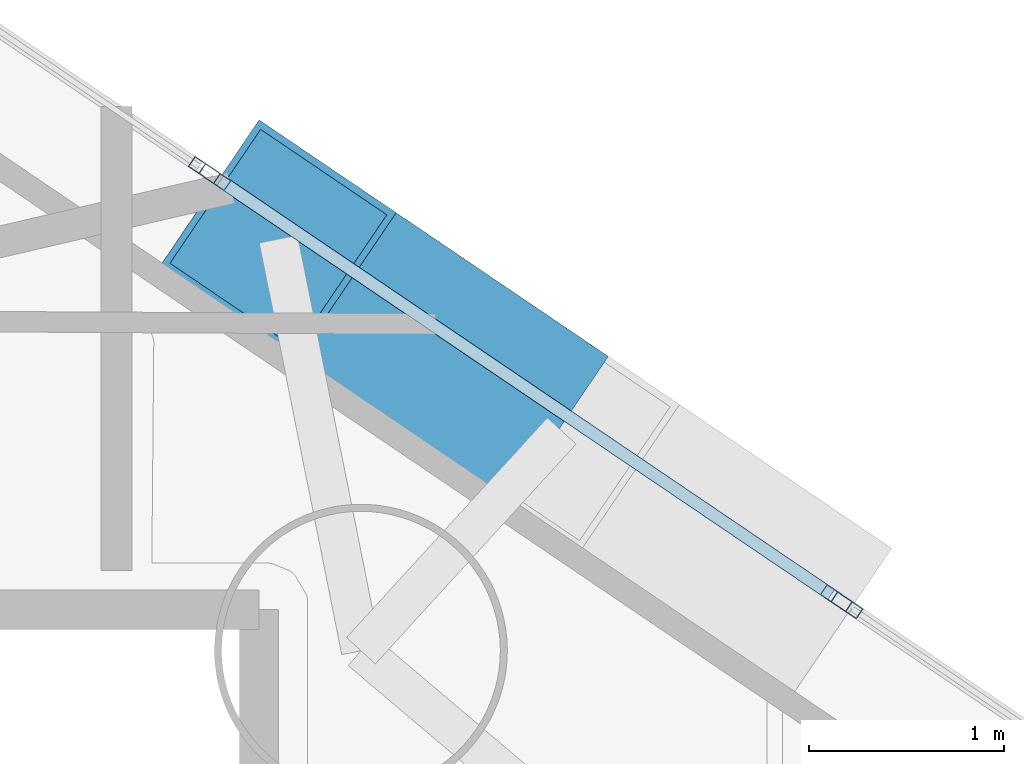
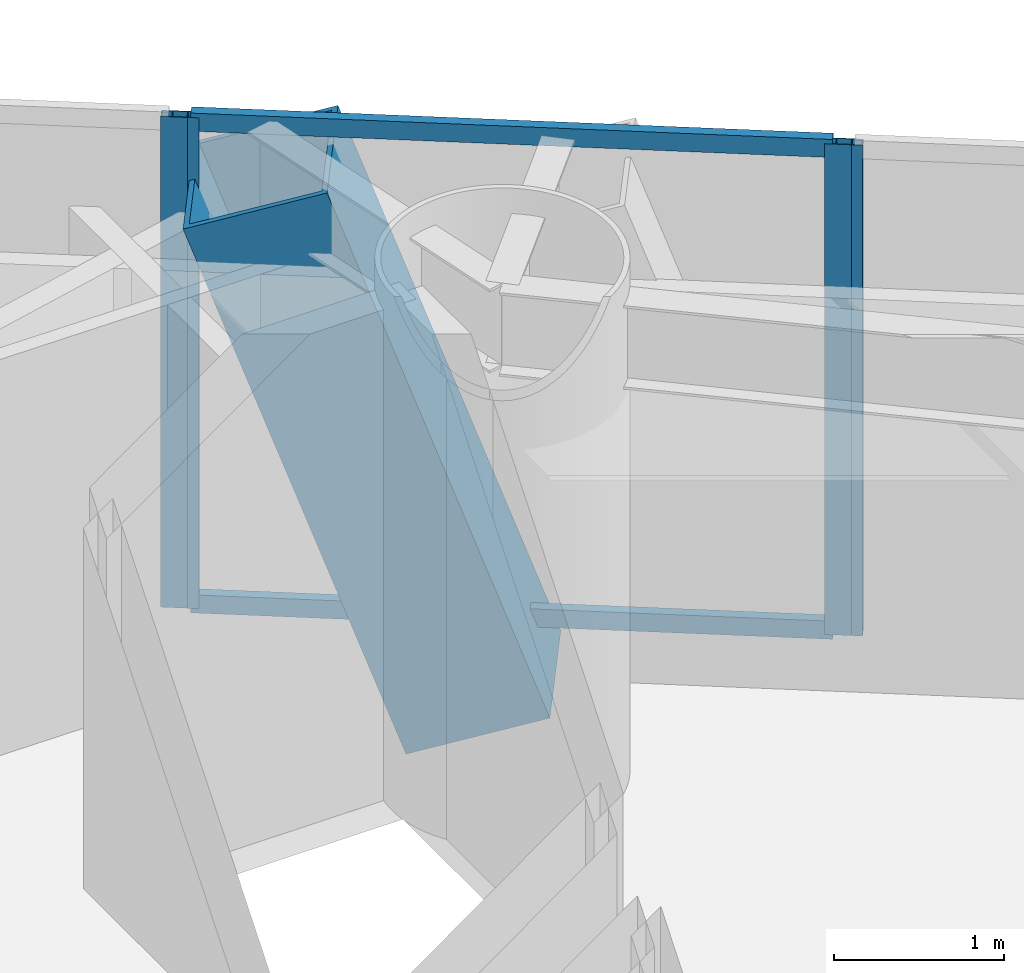
# One storey, part 11 of 21: 7 members, 3 elements without a shape of their own.
"""IFC4 building model written with IfcOpenShell, lengths in metres."""

from ifc_helpers import new_model, si_unit, direction, frame, origin, origin_2d, place, context, subcontext, project, spatial, hollow_rectangle, extrude, material, layer, layer_set, material_profile, profile_set, type_object, element, aggregate, save


model = new_model("IFC4")

# Units and contexts
model_context = context("Model", 3, precision=1e-05, world=origin(), true_north=direction((0.0, 1.0)))
body_context = subcontext(model_context, "Body", "Model", "MODEL_VIEW")
ifc_project = project(units=[si_unit("LENGTHUNIT", "METRE"), si_unit("AREAUNIT", "SQUARE_METRE"), si_unit("VOLUMEUNIT", "CUBIC_METRE"), si_unit("PLANEANGLEUNIT", "RADIAN"), si_unit("MASSUNIT", "GRAM", prefix="KILO")], contexts=[model_context])

# Site, building, storey
site_placement = place(None, origin())
site = spatial("IfcSite", under=ifc_project, at=site_placement, CompositionType="ELEMENT")
building_placement = place(site_placement, origin())
building = spatial("IfcBuilding", under=site, at=building_placement, Name="Qianvela Tower", CompositionType="ELEMENT")
storey_placement = place(building_placement, frame((0.0, 0.0, 108.89990234375)))
storey = spatial("IfcBuildingStorey", under=building, at=storey_placement, Name="L27", CompositionType="ELEMENT", Elevation=108.89990234375)

# Curtain wall, members
ifc_material_1 = material(Name="Anodised Architectural Aluminium and Insulated Spandrel Panel", Category="aluminium")
ifc_layer_1 = layer(ifc_material_1, 0.179931640625)
ifc_layer_set_1 = layer_set([ifc_layer_1], Name="Anodised Architectural Aluminium and Insulated Spandrel Panel")
curtain_wall_type_1 = type_object("IfcCurtainWallType", Name="CW-BRACEBAY", PredefinedType="USERDEFINED", material=ifc_layer_set_1)
curtain_wall_1_placement = place(storey_placement, origin())
curtain_wall_1 = element("IfcCurtainWall", 1, at=curtain_wall_1_placement, inside=storey, type_object=curtain_wall_type_1, Name="L27 CW-BRACEBAY Curtain Wall 02B", ObjectType="CURTAIN_WALL_SYSTEM", PredefinedType="USERDEFINED")
ifc_material_2 = material(Name="Anodised Architectural Aluminium 6063-T6", Category="aluminium")
ifc_material_profile_1 = material_profile(ifc_material_2, hollow_rectangle(XDim=0.06494140625, YDim=0.159912109375, WallThickness=0.0048828125, at=origin_2d()), Name="ALU-MULL-65x160")
ifc_profile_set_1 = profile_set([ifc_material_profile_1], Name="Anodised Architectural Aluminium 6063-T6")
member_type_1 = type_object("IfcMemberType", Name="CW-BRACEBAY-MULL", PredefinedType="MULLION", material=ifc_profile_set_1)
member_1_placement = place(storey_placement, frame((46.50634765625, 35.33935546875, 0.0), z_axis=(0.0, 0.0, 1.0), x_axis=(-0.560811387213, -0.827943589849, 0.0)))
member_1 = element("IfcMember", 2, at=member_1_placement, type_object=member_type_1, Name="CW-9 mullion 1", PredefinedType="MULLION", context=body_context, shape_type="SweptSolid", body=[
    extrude(hollow_rectangle(XDim=0.06494140625, YDim=0.159912109375, WallThickness=0.0048828125, at=origin_2d()), origin(), (0.0, 0.0, 1.0), 3.52001953125),
])
member_2_placement = place(storey_placement, frame((43.322998046875, 37.495849609375, 0.0), z_axis=(0.0, 0.0, 1.0), x_axis=(-0.560811387213, -0.827943589849, 0.0)))
member_2 = element("IfcMember", 3, at=member_2_placement, type_object=member_type_1, Name="CW-9 mullion 2", PredefinedType="MULLION", context=body_context, shape_type="SweptSolid", body=[
    extrude(hollow_rectangle(XDim=0.06494140625, YDim=0.159912109375, WallThickness=0.0048828125, at=origin_2d()), origin(), (0.0, 0.0, 1.0), 3.52001953125),
])
ifc_material_3 = material(Name="Anodised Architectural Aluminium 6063-T6", Category="aluminium")
ifc_material_profile_2 = material_profile(ifc_material_3, hollow_rectangle(XDim=0.06494140625, YDim=0.1298828125, WallThickness=0.00439453125, at=origin_2d()), Name="ALU-TRAN-65x130")
ifc_profile_set_2 = profile_set([ifc_material_profile_2], Name="Anodised Architectural Aluminium 6063-T6")
member_type_2 = type_object("IfcMemberType", Name="CW-BRACEBAY-TRAN", PredefinedType="USERDEFINED", material=ifc_profile_set_2)
member_3_placement = place(storey_placement, frame((46.4794921875, 35.357666015625, 0.03271484375), z_axis=(-0.827943842747, 0.560811013852, 0.0), x_axis=(-0.560811013852, -0.827943842747, 0.0)))
member_3 = element("IfcMember", 4, at=member_3_placement, type_object=member_type_2, Name="CW-9 transom 1.1", ObjectType="TRANSOM", PredefinedType="USERDEFINED", context=body_context, shape_type="SweptSolid", body=[
    extrude(hollow_rectangle(XDim=0.06494140625, YDim=0.1298828125, WallThickness=0.00439453125, at=origin_2d()), origin(), (0.0, 0.0, 1.0), 3.780029296875),
])
member_4_placement = place(storey_placement, frame((46.4794921875, 35.357666015625, 3.487548828125), z_axis=(-0.827943842747, 0.560811013852, 0.0), x_axis=(-0.560811013852, -0.827943842747, 0.0)))
member_4 = element("IfcMember", 5, at=member_4_placement, type_object=member_type_2, Name="CW-9 transom 1.2", ObjectType="TRANSOM", PredefinedType="USERDEFINED", context=body_context, shape_type="SweptSolid", body=[
    extrude(hollow_rectangle(XDim=0.06494140625, YDim=0.1298828125, WallThickness=0.00439453125, at=origin_2d()), origin(), (0.0, 0.0, 1.0), 3.780029296875),
])
aggregate(curtain_wall_1, [member_1, member_2, member_3, member_4])

# Curtain wall, member
ifc_material_4 = material(Name="Anodised Architectural Aluminium and Low-E Glass", Category="aluminium")
ifc_layer_2 = layer(ifc_material_4, 0.169921875)
ifc_layer_set_2 = layer_set([ifc_layer_2], Name="Anodised Architectural Aluminium and Low-E Glass")
curtain_wall_type_2 = type_object("IfcCurtainWallType", Name="CW-COLIV-Z34", PredefinedType="USERDEFINED", material=ifc_layer_set_2)
curtain_wall_2_placement = place(storey_placement, origin())
curtain_wall_2 = element("IfcCurtainWall", 6, at=curtain_wall_2_placement, inside=storey, type_object=curtain_wall_type_2, Name="L27 CW-COLIV-Z34 Curtain Wall 02A", ObjectType="CURTAIN_WALL_SYSTEM", PredefinedType="USERDEFINED")
ifc_material_5 = material(Name="Anodised Architectural Aluminium 6063-T6", Category="aluminium")
ifc_material_profile_3 = material_profile(ifc_material_5, hollow_rectangle(XDim=0.06494140625, YDim=0.159912109375, WallThickness=0.0048828125, at=origin_2d()), Name="ALU-MULL-65x160")
ifc_profile_set_3 = profile_set([ifc_material_profile_3], Name="Anodised Architectural Aluminium 6063-T6")
member_type_3 = type_object("IfcMemberType", Name="CW-COLIV-Z34-MULL", PredefinedType="MULLION", material=ifc_profile_set_3)
member_5_placement = place(storey_placement, frame((46.560302734375, 35.302978515625, 0.0), z_axis=(0.0, 0.0, 1.0), x_axis=(-0.560829244135, -0.8279314941, 0.0)))
member_5 = element("IfcMember", 7, at=member_5_placement, type_object=member_type_3, Name="CW-4 mullion 3", PredefinedType="MULLION", context=body_context, shape_type="SweptSolid", body=[
    extrude(hollow_rectangle(XDim=0.06494140625, YDim=0.159912109375, WallThickness=0.0048828125, at=origin_2d()), origin(), (0.0, 0.0, 1.0), 3.52001953125),
])
aggregate(curtain_wall_2, [member_5])

curtain_wall_3_placement = place(storey_placement, origin())
curtain_wall_3 = element("IfcCurtainWall", 8, at=curtain_wall_3_placement, inside=storey, type_object=curtain_wall_type_2, Name="L27 CW-COLIV-Z34 Curtain Wall 02C", ObjectType="CURTAIN_WALL_SYSTEM", PredefinedType="USERDEFINED")
member_6_placement = place(storey_placement, frame((43.26904296875, 37.5322265625, 0.0), z_axis=(0.0, 0.0, 1.0), x_axis=(-0.560827049346, -0.827932980815, 0.0)))
member_6 = element("IfcMember", 9, at=member_6_placement, type_object=member_type_3, Name="CW-4 mullion 1", PredefinedType="MULLION", context=body_context, shape_type="SweptSolid", body=[
    extrude(hollow_rectangle(XDim=0.06494140625, YDim=0.159912109375, WallThickness=0.0048828125, at=origin_2d()), origin(), (0.0, 0.0, 1.0), 3.52001953125),
])
aggregate(curtain_wall_3, [member_6])

# Member
ifc_material_6 = material(Name="Steel Q420GJC", Category="steel")
ifc_material_profile_4 = material_profile(ifc_material_6, hollow_rectangle(XDim=0.89990234375, YDim=0.89990234375, WallThickness=0.035888671875, at=origin_2d()), Name="MBOX-900x900x36")
ifc_profile_set_4 = profile_set([ifc_material_profile_4], Name="Steel Q420GJC")
member_type_4 = type_object("IfcMemberType", Name="MBR-MBRACE-900", PredefinedType="BRACE", material=ifc_profile_set_4)
member_7_placement = place(storey_placement, frame((44.735107421875, 36.442626953125, -0.48193359375), z_axis=(-0.276855952756, 0.18749341814, 0.942442040434), x_axis=(-0.560737107803, -0.827993898487, 0.0)))
element("IfcMember", 10, at=member_7_placement, inside=storey, type_object=member_type_4, Name="L27 Tier 4 Exterior Mega-Brace F1B", PredefinedType="BRACE", context=body_context, shape_type="SweptSolid", body=[
    extrude(hollow_rectangle(XDim=0.89990234375, YDim=0.89990234375, WallThickness=0.035888671875, at=origin_2d()), origin(), (0.0, 0.0, 1.0), 3.926025390625),
])

save(model, "model.ifc")
